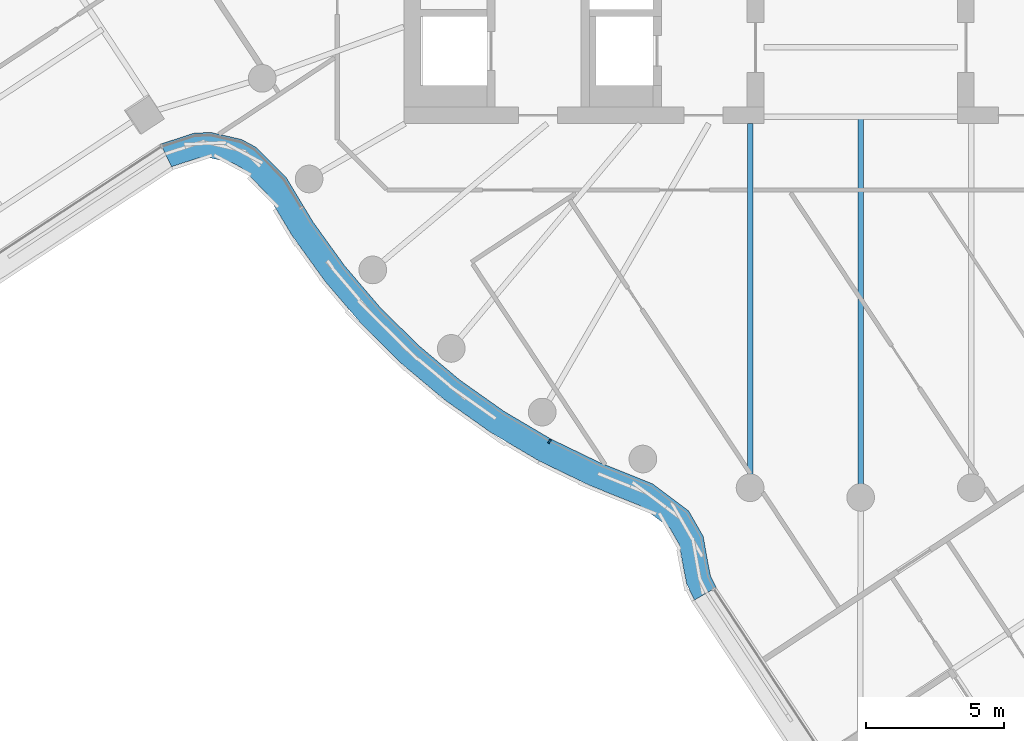
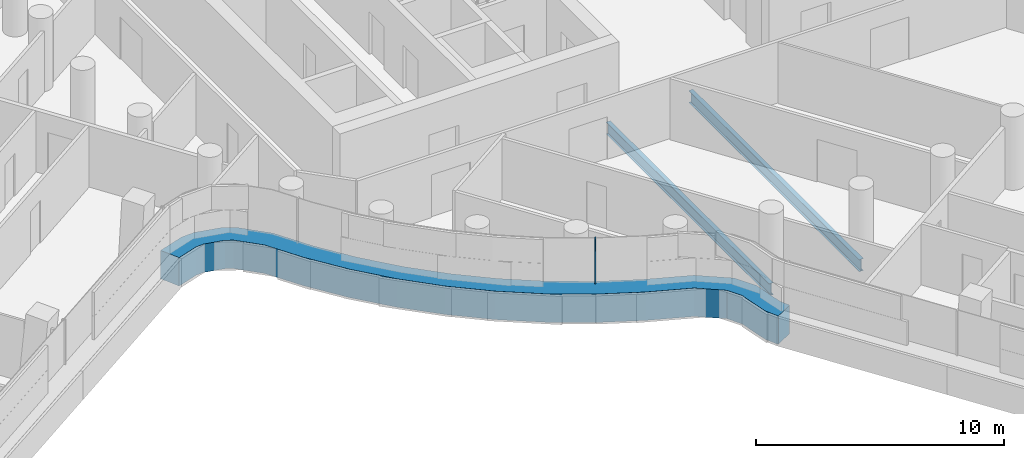
# One storey, part 6 of 35: 2 beams, 2 members, 1 element without a shape of its own.
"""IFC4 building model written with IfcOpenShell, lengths in metres."""

from ifc_helpers import new_model, si_unit, direction, frame, origin, origin_2d, place, context, subcontext, project, spatial, polyline, rectangle, i_section, outline, extrude, material, layer, layer_set, material_profile, profile_set, type_object, element, aggregate, save


model = new_model("IFC4")

# Units and contexts
model_context = context("Model", 3, precision=1e-05, world=origin(), true_north=direction((0.0, 1.0)))
body_context = subcontext(model_context, "Body", "Model", "MODEL_VIEW")
ifc_project = project(units=[si_unit("LENGTHUNIT", "METRE"), si_unit("AREAUNIT", "SQUARE_METRE"), si_unit("VOLUMEUNIT", "CUBIC_METRE"), si_unit("PLANEANGLEUNIT", "RADIAN"), si_unit("MASSUNIT", "GRAM", prefix="KILO")], contexts=[model_context])

# Site, building, storey
site_placement = place(None, origin())
site = spatial("IfcSite", under=ifc_project, at=site_placement, CompositionType="ELEMENT")
building_placement = place(site_placement, origin())
building = spatial("IfcBuilding", under=site, at=building_placement, Name="Tamarind Cross Interchange Tower", CompositionType="ELEMENT")
storey_placement = place(building_placement, frame((0.0, 0.0, 155.5)))
storey = spatial("IfcBuildingStorey", under=building, at=storey_placement, Name="L38", CompositionType="ELEMENT", Elevation=155.5)

# Beams
ifc_material_1 = material(Name="Steel Q355B", Category="steel")
ifc_material_profile_1 = material_profile(ifc_material_1, i_section(OverallWidth=0.198974609375, OverallDepth=0.595947265625, WebThickness=0.010009765625, FlangeThickness=0.014892578125, FilletRadius=0.012939453125, at=origin_2d()), Name="HN 596x199x10x15")
ifc_profile_set_1 = profile_set([ifc_material_profile_1], Name="Steel Q355B")
beam_type = type_object("IfcBeamType", Name="Composite beam HN 596x199x10x15 Q355B", PredefinedType="BEAM", material=ifc_profile_set_1)
beam_1_placement = place(storey_placement, frame((-3.993896484375, -22.650634765625, -0.43798828125), z_axis=(0.0, 1.0, 0.0), x_axis=(-1.0, 0.0, 0.0)))
element("IfcBeam", 1, at=beam_1_placement, inside=storey, type_object=beam_type, Name="Beam HH26", PredefinedType="BEAM", context=body_context, shape_type="SweptSolid", body=[
    extrude(i_section(OverallWidth=0.198974609375, OverallDepth=0.595947265625, WebThickness=0.010009765625, FlangeThickness=0.014892578125, FilletRadius=0.012939453125, at=origin_2d()), origin(), (0.0, 0.0, 1.0), 13.150634765625),
])
beam_2_placement = place(storey_placement, frame((0.0, -23.0, -0.43798828125), z_axis=(0.0, 1.0, 0.0), x_axis=(-1.0, 0.0, 0.0)))
element("IfcBeam", 2, at=beam_2_placement, inside=storey, type_object=beam_type, Name="Beam HH27", PredefinedType="BEAM", context=body_context, shape_type="SweptSolid", body=[
    extrude(i_section(OverallWidth=0.198974609375, OverallDepth=0.595947265625, WebThickness=0.010009765625, FlangeThickness=0.014892578125, FilletRadius=0.012939453125, at=origin_2d()), origin(), (0.0, 0.0, 1.0), 13.75),
])

# Curtain wall, members
ifc_material_2 = material(Name="Aluminium 6063-T6", Category="aluminium")
ifc_layer = layer(ifc_material_2, 0.159912109375)
ifc_layer_set = layer_set([ifc_layer], Name="Aluminium 6063-T6")
curtain_wall_type = type_object("IfcCurtainWallType", Name="Office curtain wall, 9.0 m bays", PredefinedType="NOTDEFINED", material=ifc_layer_set)
curtain_wall_placement = place(storey_placement, origin())
curtain_wall = element("IfcCurtainWall", 3, at=curtain_wall_placement, inside=storey, type_object=curtain_wall_type, Name="CWS-L38-06", PredefinedType="NOTDEFINED")
ifc_material_3 = material(Name="Aluminium and insulated spandrel panel", Category="aluminium")
member_type_1 = type_object("IfcMemberType", Name="Floor-edge blade transom", PredefinedType="USERDEFINED", material=ifc_material_3)
member_1_placement = place(storey_placement, origin())
member_1 = element("IfcMember", 4, at=member_1_placement, type_object=member_type_1, Name="CWT-L38-06", ObjectType="TRANSOM", PredefinedType="USERDEFINED", context=body_context, shape_type="SweptSolid", body=[
    extrude(outline(polyline([(-25.28173828125, -10.23828125), (-24.071533203125, -9.84521484375), (-23.468017578125, -9.818359375), (-22.3603515625, -10.07177734375), (-21.8251953125, -10.3603515625), (-20.741455078125, -11.450927734375), (-19.78125, -13.04541015625), (-18.636474609375, -14.634521484375), (-17.3642578125, -16.12353515625), (-15.973388671875, -17.50244140625), (-14.4736328125, -18.76171875), (-12.874755859375, -19.892822265625), (-11.188232421875, -20.88818359375), (-9.423095703125, -21.741455078125), (-7.511962890625, -22.509033203125), (-6.21044921875, -23.486572265625), (-5.68505859375, -24.40625), (-5.533447265625, -25.266357421875), (-5.42041015625, -25.84033203125), (-5.2177734375, -26.25732421875), (-6.00146484375, -26.703857421875), (-6.281005859375, -26.12890625), (-6.418212890625, -25.43115234375), (-6.544189453125, -24.716796875), (-6.899658203125, -24.094482421875), (-7.95751953125, -23.2998046875), (-9.787109375, -22.565185546875), (-11.613525390625, -21.68212890625), (-13.3642578125, -20.64892578125), (-15.023681640625, -19.474853515625), (-16.580810546875, -18.167724609375), (-18.0244140625, -16.736572265625), (-19.344970703125, -15.19091796875), (-20.533203125, -13.54150390625), (-21.45654296875, -12.00830078125), (-22.36962890625, -11.08935546875), (-22.679931640625, -10.922119140625), (-23.550048828125, -10.722900390625), (-23.90966796875, -10.739013671875), (-24.888671875, -11.056884765625), (-25.28173828125, -10.23828125)])), origin(), (0.0, 0.0, 1.0), 1.39990234375),
])
ifc_material_profile_2 = material_profile(ifc_material_2, rectangle(XDim=0.06005859375, YDim=0.159912109375, at=origin_2d()), Name="Mullion CW1")
ifc_profile_set_2 = profile_set([ifc_material_profile_2], Name="Aluminium 6063-T6")
member_type_2 = type_object("IfcMemberType", Name="Mullion CW1", PredefinedType="MULLION", material=ifc_profile_set_2)
member_2_placement = place(storey_placement, frame((-11.23681640625, -20.9755859375, 1.39990234375), z_axis=(0.0, 0.0, 1.0), x_axis=(0.861248933065, -0.508183308752, 0.0)))
member_2 = element("IfcMember", 5, at=member_2_placement, type_object=member_type_2, Name="CWM-L38-06-02", PredefinedType="MULLION", context=body_context, shape_type="SweptSolid", body=[
    extrude(rectangle(XDim=0.06005859375, YDim=0.159912109375, at=origin_2d()), origin(), (0.0, 0.0, 1.0), 2.210205078125),
])
aggregate(curtain_wall, [member_2, member_1])

save(model, "model.ifc")
